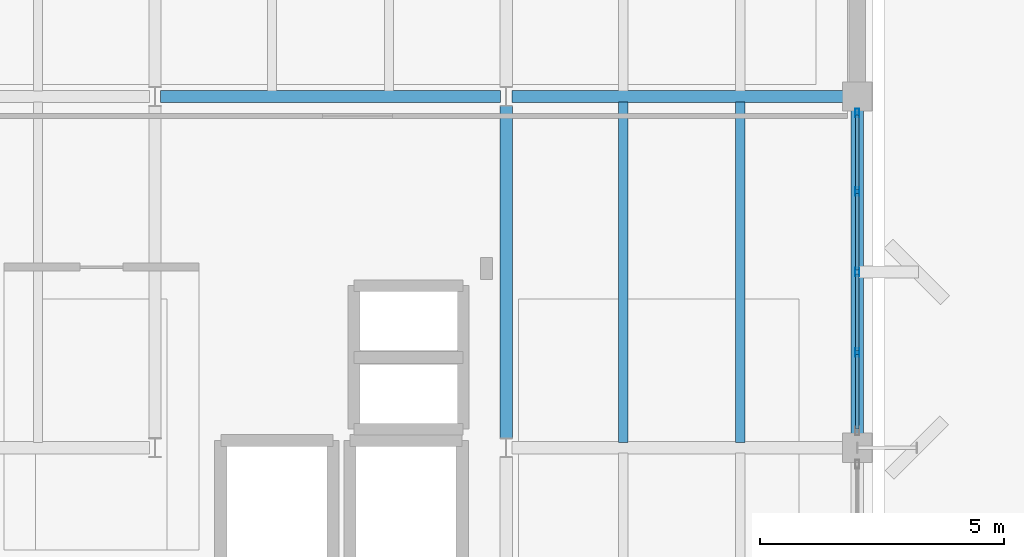
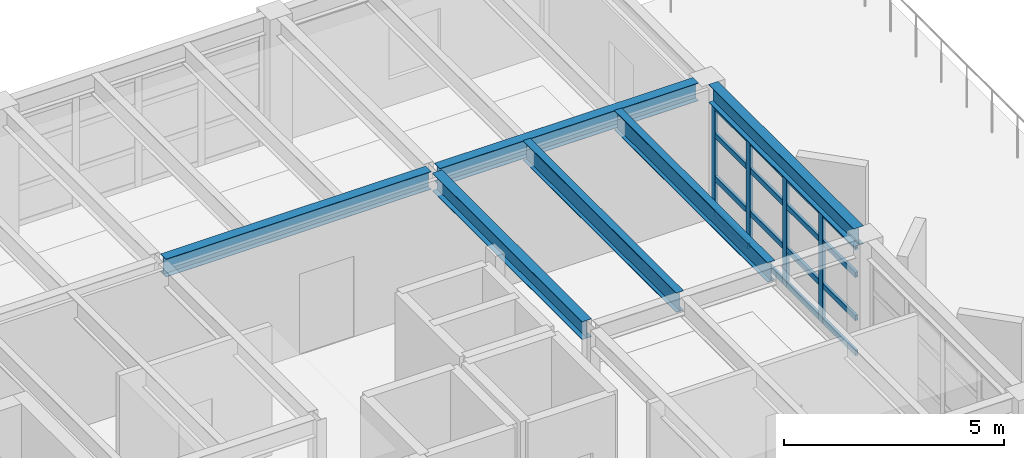
# One storey, part 9 of 19: 20 members, 6 beams, 1 element without a shape of its own.
"""IFC4 building model written with IfcOpenShell, lengths in metres."""

from ifc_helpers import new_model, si_unit, direction, frame, origin, origin_2d, place, context, subcontext, project, spatial, hollow_rectangle, i_section, extrude, material, layer, layer_set, material_profile, profile_set, type_object, element, aggregate, save


model = new_model("IFC4")

# Units and contexts
model_context = context("Model", 3, precision=1e-05, world=origin(), true_north=direction((0.0, 1.0)))
body_context = subcontext(model_context, "Body", "Model", "MODEL_VIEW")
ifc_project = project(units=[si_unit("LENGTHUNIT", "METRE"), si_unit("AREAUNIT", "SQUARE_METRE"), si_unit("VOLUMEUNIT", "CUBIC_METRE"), si_unit("PLANEANGLEUNIT", "RADIAN"), si_unit("MASSUNIT", "GRAM", prefix="KILO")], contexts=[model_context])

# Site, building, storey
site_placement = place(None, origin())
site = spatial("IfcSite", under=ifc_project, at=site_placement, CompositionType="ELEMENT")
building_placement = place(site_placement, origin())
building = spatial("IfcBuilding", under=site, at=building_placement, Name="Kandorven Conservatory and Botanical Research Centre", CompositionType="ELEMENT")
storey_placement = place(building_placement, frame((0.0, 0.0, 28.800048828125)))
storey = spatial("IfcBuildingStorey", under=building, at=storey_placement, Name="L07", CompositionType="ELEMENT", Elevation=28.800048828125)

# Beams
ifc_material_1 = material(Name="Steel S355 (IS 2062 E350)", Category="steel")
ifc_material_profile_1 = material_profile(ifc_material_1, i_section(OverallWidth=0.25, OverallDepth=0.5, WebThickness=0.010009765625, FlangeThickness=0.0146484375, at=origin_2d()))
ifc_profile_set_1 = profile_set([ifc_material_profile_1], Name="Steel S355 (IS 2062 E350)")
beam_type_1 = type_object("IfcBeamType", Name="Beam_FG-02", PredefinedType="USERDEFINED", material=ifc_profile_set_1)
beam_1_placement = place(storey_placement, frame((20.514892578125, 27.60009765625, 3.369873046875), z_axis=(1.0, 0.0, 0.0), x_axis=(0.0, 1.0, 0.0)))
element("IfcBeam", 1, at=beam_1_placement, inside=storey, type_object=beam_type_1, Name="Primary girder FG-02 TWR L07", ObjectType="GIRDER", PredefinedType="USERDEFINED", context=body_context, shape_type="SweptSolid", body=[
    extrude(i_section(OverallWidth=0.25, OverallDepth=0.5, WebThickness=0.010009765625, FlangeThickness=0.0146484375, at=origin_2d()), origin(), (0.0, 0.0, 1.0), 6.97021484375),
])
beam_2_placement = place(storey_placement, frame((27.715087890625, 27.60009765625, 3.369873046875), z_axis=(1.0, 0.0, 0.0), x_axis=(0.0, 1.0, 0.0)))
element("IfcBeam", 2, at=beam_2_placement, inside=storey, type_object=beam_type_1, Name="Primary girder FG-02 TWR L07", ObjectType="GIRDER", PredefinedType="USERDEFINED", context=body_context, shape_type="SweptSolid", body=[
    extrude(i_section(OverallWidth=0.25, OverallDepth=0.5, WebThickness=0.010009765625, FlangeThickness=0.0146484375, at=origin_2d()), origin(), (0.0, 0.0, 1.0), 6.794921875),
])
beam_3_placement = place(storey_placement, frame((27.60009765625, 20.590087890625, 3.369873046875), z_axis=(0.0, 1.0, 0.0), x_axis=(-1.0, 0.0, 0.0)))
element("IfcBeam", 3, at=beam_3_placement, inside=storey, type_object=beam_type_1, Name="Primary girder FG-02 TWR L07", ObjectType="GIRDER", PredefinedType="USERDEFINED", context=body_context, shape_type="SweptSolid", body=[
    extrude(i_section(OverallWidth=0.25, OverallDepth=0.5, WebThickness=0.010009765625, FlangeThickness=0.0146484375, at=origin_2d()), origin(), (0.0, 0.0, 1.0), 6.81982421875),
])
beam_4_placement = place(storey_placement, frame((34.800048828125, 20.68994140625, 3.369873046875), z_axis=(0.0, 1.0, 0.0), x_axis=(-1.0, 0.0, 0.0)))
element("IfcBeam", 4, at=beam_4_placement, inside=storey, type_object=beam_type_1, Name="Primary girder FG-02 TWR L07", ObjectType="GIRDER", PredefinedType="USERDEFINED", context=body_context, shape_type="SweptSolid", body=[
    extrude(i_section(OverallWidth=0.25, OverallDepth=0.5, WebThickness=0.010009765625, FlangeThickness=0.0146484375, at=origin_2d()), origin(), (0.0, 0.0, 1.0), 6.6201171875),
])
ifc_material_2 = material(Name="Steel S355 (IS 2062 E350)", Category="steel")
ifc_material_profile_2 = material_profile(ifc_material_2, i_section(OverallWidth=0.18994140625, OverallDepth=0.550048828125, WebThickness=0.01123046875, FlangeThickness=0.019287109375, at=origin_2d()))
ifc_profile_set_2 = profile_set([ifc_material_profile_2], Name="Steel S355 (IS 2062 E350)")
beam_type_2 = type_object("IfcBeamType", Name="Beam_SB-02", PredefinedType="BEAM", material=ifc_profile_set_2)
for number, where, z_axis, x_axis, name in (
    (5, (30.0, 20.510009765625, 3.344970703125), (0.0, 1.0, 0.0), (-1.0, 0.0, 0.0), "Composite secondary beam SB-02 TWR L07"),
    (6, (32.39990234375, 20.510009765625, 3.344970703125), (0.0, 1.0, 0.0), (-1.0, 0.0, 0.0), "Composite secondary beam SB-02 TWR L07"),
):
    element("IfcBeam", number, at=place(storey_placement, frame(where, z_axis=z_axis, x_axis=x_axis)), inside=storey, type_object=beam_type_2, Name=name, PredefinedType="BEAM", context=body_context, shape_type="SweptSolid", body=[
        extrude(i_section(OverallWidth=0.18994140625, OverallDepth=0.550048828125, WebThickness=0.01123046875, FlangeThickness=0.019287109375, at=origin_2d()), origin(), (0.0, 0.0, 1.0), 6.97998046875),
    ])

# Curtain wall, members
ifc_material_3 = material(Name="Bronze anodised thermally broken aluminium", Category="aluminium")
ifc_layer = layer(ifc_material_3, 0.179931640625)
ifc_layer_set = layer_set([ifc_layer], Name="Bronze anodised thermally broken aluminium")
curtain_wall_type = type_object("IfcCurtainWallType", Name="CW_Unitised", PredefinedType="USERDEFINED", material=ifc_layer_set)
curtain_wall_placement = place(storey_placement, origin())
curtain_wall = element("IfcCurtainWall", 7, at=curtain_wall_placement, inside=storey, type_object=curtain_wall_type, Name="Tower laboratory curtain wall CW-TWR-E-L07-3", ObjectType="UNITISED GLAZING", PredefinedType="USERDEFINED")
ifc_material_4 = material(Name="Bronze anodised thermally broken aluminium", Category="aluminium")
ifc_material_profile_3 = material_profile(ifc_material_4, hollow_rectangle(XDim=0.080078125, YDim=0.179931640625, WallThickness=0.006103515625, at=origin_2d()))
ifc_profile_set_3 = profile_set([ifc_material_profile_3], Name="Bronze anodised thermally broken aluminium")
member_type_1 = type_object("IfcMemberType", Name="CW_Mullion", PredefinedType="MULLION", material=ifc_profile_set_3)
member_1_placement = place(storey_placement, frame((34.800048828125, 22.35009765625, 0.0), z_axis=(0.0, 0.0, 1.0), x_axis=(-1.0, 0.0, 0.0)))
member_1 = element("IfcMember", 8, at=member_1_placement, type_object=member_type_1, Name="CW-01 mullion 2", PredefinedType="MULLION", context=body_context, shape_type="SweptSolid", body=[
    extrude(hollow_rectangle(XDim=0.080078125, YDim=0.179931640625, WallThickness=0.006103515625, at=origin_2d()), origin(), (0.0, 0.0, 1.0), 3.099853515625),
])
member_2_placement = place(storey_placement, frame((34.800048828125, 24.0, 0.0), z_axis=(0.0, 0.0, 1.0), x_axis=(-1.0, 0.0, 0.0)))
member_2 = element("IfcMember", 9, at=member_2_placement, type_object=member_type_1, Name="CW-01 mullion 3", PredefinedType="MULLION", context=body_context, shape_type="SweptSolid", body=[
    extrude(hollow_rectangle(XDim=0.080078125, YDim=0.179931640625, WallThickness=0.006103515625, at=origin_2d()), origin(), (0.0, 0.0, 1.0), 3.099853515625),
])
member_3_placement = place(storey_placement, frame((34.800048828125, 25.64990234375, 0.0), z_axis=(0.0, 0.0, 1.0), x_axis=(-1.0, 0.0, 0.0)))
member_3 = element("IfcMember", 10, at=member_3_placement, type_object=member_type_1, Name="CW-01 mullion 4", PredefinedType="MULLION", context=body_context, shape_type="SweptSolid", body=[
    extrude(hollow_rectangle(XDim=0.080078125, YDim=0.179931640625, WallThickness=0.006103515625, at=origin_2d()), origin(), (0.0, 0.0, 1.0), 3.099853515625),
])
member_4_placement = place(storey_placement, frame((34.800048828125, 27.260009765625, 0.0), z_axis=(0.0, 0.0, 1.0), x_axis=(-1.0, 0.0, 0.0)))
member_4 = element("IfcMember", 11, at=member_4_placement, type_object=member_type_1, Name="CW-01 mullion 5", PredefinedType="MULLION", context=body_context, shape_type="SweptSolid", body=[
    extrude(hollow_rectangle(XDim=0.080078125, YDim=0.179931640625, WallThickness=0.006103515625, at=origin_2d()), origin(), (0.0, 0.0, 1.0), 3.099853515625),
])
ifc_material_5 = material(Name="Bronze anodised thermally broken aluminium", Category="aluminium")
ifc_material_profile_4 = material_profile(ifc_material_5, hollow_rectangle(XDim=0.074951171875, YDim=0.14990234375, WallThickness=0.006103515625, at=origin_2d()))
ifc_profile_set_4 = profile_set([ifc_material_profile_4], Name="Bronze anodised thermally broken aluminium")
member_type_2 = type_object("IfcMemberType", Name="CW_Transom", PredefinedType="USERDEFINED", material=ifc_profile_set_4)
member_5_placement = place(storey_placement, frame((34.800048828125, 20.780029296875, 0.074951171875), z_axis=(0.0, 1.0, 0.0), x_axis=(-1.0, 0.0, 0.0)))
member_5 = element("IfcMember", 12, at=member_5_placement, type_object=member_type_2, Name="CW-01 transom 1.1", ObjectType="TRANSOM", PredefinedType="USERDEFINED", context=body_context, shape_type="SweptSolid", body=[
    extrude(hollow_rectangle(XDim=0.074951171875, YDim=0.14990234375, WallThickness=0.006103515625, at=origin_2d()), origin(), (0.0, 0.0, 1.0), 1.530029296875),
])
member_6_placement = place(storey_placement, frame((34.800048828125, 20.780029296875, 1.050048828125), z_axis=(0.0, 1.0, 0.0), x_axis=(-1.0, 0.0, 0.0)))
member_6 = element("IfcMember", 13, at=member_6_placement, type_object=member_type_2, Name="CW-01 transom 1.2", ObjectType="TRANSOM", PredefinedType="USERDEFINED", context=body_context, shape_type="SweptSolid", body=[
    extrude(hollow_rectangle(XDim=0.074951171875, YDim=0.14990234375, WallThickness=0.006103515625, at=origin_2d()), origin(), (0.0, 0.0, 1.0), 1.530029296875),
])
member_7_placement = place(storey_placement, frame((34.800048828125, 20.780029296875, 2.25), z_axis=(0.0, 1.0, 0.0), x_axis=(-1.0, 0.0, 0.0)))
member_7 = element("IfcMember", 14, at=member_7_placement, type_object=member_type_2, Name="CW-01 transom 1.3", ObjectType="TRANSOM", PredefinedType="USERDEFINED", context=body_context, shape_type="SweptSolid", body=[
    extrude(hollow_rectangle(XDim=0.074951171875, YDim=0.14990234375, WallThickness=0.006103515625, at=origin_2d()), origin(), (0.0, 0.0, 1.0), 1.530029296875),
])
member_8_placement = place(storey_placement, frame((34.800048828125, 20.780029296875, 3.02490234375), z_axis=(0.0, 1.0, 0.0), x_axis=(-1.0, 0.0, 0.0)))
member_8 = element("IfcMember", 15, at=member_8_placement, type_object=member_type_2, Name="CW-01 transom 1.4", ObjectType="TRANSOM", PredefinedType="USERDEFINED", context=body_context, shape_type="SweptSolid", body=[
    extrude(hollow_rectangle(XDim=0.074951171875, YDim=0.14990234375, WallThickness=0.006103515625, at=origin_2d()), origin(), (0.0, 0.0, 1.0), 1.530029296875),
])
member_9_placement = place(storey_placement, frame((34.800048828125, 22.389892578125, 0.074951171875), z_axis=(0.0, 1.0, 0.0), x_axis=(-1.0, 0.0, 0.0)))
member_9 = element("IfcMember", 16, at=member_9_placement, type_object=member_type_2, Name="CW-01 transom 2.1", ObjectType="TRANSOM", PredefinedType="USERDEFINED", context=body_context, shape_type="SweptSolid", body=[
    extrude(hollow_rectangle(XDim=0.074951171875, YDim=0.14990234375, WallThickness=0.006103515625, at=origin_2d()), origin(), (0.0, 0.0, 1.0), 1.570068359375),
])
member_10_placement = place(storey_placement, frame((34.800048828125, 22.389892578125, 1.050048828125), z_axis=(0.0, 1.0, 0.0), x_axis=(-1.0, 0.0, 0.0)))
member_10 = element("IfcMember", 17, at=member_10_placement, type_object=member_type_2, Name="CW-01 transom 2.2", ObjectType="TRANSOM", PredefinedType="USERDEFINED", context=body_context, shape_type="SweptSolid", body=[
    extrude(hollow_rectangle(XDim=0.074951171875, YDim=0.14990234375, WallThickness=0.006103515625, at=origin_2d()), origin(), (0.0, 0.0, 1.0), 1.570068359375),
])
member_11_placement = place(storey_placement, frame((34.800048828125, 22.389892578125, 2.25), z_axis=(0.0, 1.0, 0.0), x_axis=(-1.0, 0.0, 0.0)))
member_11 = element("IfcMember", 18, at=member_11_placement, type_object=member_type_2, Name="CW-01 transom 2.3", ObjectType="TRANSOM", PredefinedType="USERDEFINED", context=body_context, shape_type="SweptSolid", body=[
    extrude(hollow_rectangle(XDim=0.074951171875, YDim=0.14990234375, WallThickness=0.006103515625, at=origin_2d()), origin(), (0.0, 0.0, 1.0), 1.570068359375),
])
member_12_placement = place(storey_placement, frame((34.800048828125, 22.389892578125, 3.02490234375), z_axis=(0.0, 1.0, 0.0), x_axis=(-1.0, 0.0, 0.0)))
member_12 = element("IfcMember", 19, at=member_12_placement, type_object=member_type_2, Name="CW-01 transom 2.4", ObjectType="TRANSOM", PredefinedType="USERDEFINED", context=body_context, shape_type="SweptSolid", body=[
    extrude(hollow_rectangle(XDim=0.074951171875, YDim=0.14990234375, WallThickness=0.006103515625, at=origin_2d()), origin(), (0.0, 0.0, 1.0), 1.570068359375),
])
member_13_placement = place(storey_placement, frame((34.800048828125, 24.0400390625, 0.074951171875), z_axis=(0.0, 1.0, 0.0), x_axis=(-1.0, 0.0, 0.0)))
member_13 = element("IfcMember", 20, at=member_13_placement, type_object=member_type_2, Name="CW-01 transom 3.1", ObjectType="TRANSOM", PredefinedType="USERDEFINED", context=body_context, shape_type="SweptSolid", body=[
    extrude(hollow_rectangle(XDim=0.074951171875, YDim=0.14990234375, WallThickness=0.006103515625, at=origin_2d()), origin(), (0.0, 0.0, 1.0), 1.570068359375),
])
member_14_placement = place(storey_placement, frame((34.800048828125, 24.0400390625, 1.050048828125), z_axis=(0.0, 1.0, 0.0), x_axis=(-1.0, 0.0, 0.0)))
member_14 = element("IfcMember", 21, at=member_14_placement, type_object=member_type_2, Name="CW-01 transom 3.2", ObjectType="TRANSOM", PredefinedType="USERDEFINED", context=body_context, shape_type="SweptSolid", body=[
    extrude(hollow_rectangle(XDim=0.074951171875, YDim=0.14990234375, WallThickness=0.006103515625, at=origin_2d()), origin(), (0.0, 0.0, 1.0), 1.570068359375),
])
member_15_placement = place(storey_placement, frame((34.800048828125, 24.0400390625, 2.25), z_axis=(0.0, 1.0, 0.0), x_axis=(-1.0, 0.0, 0.0)))
member_15 = element("IfcMember", 22, at=member_15_placement, type_object=member_type_2, Name="CW-01 transom 3.3", ObjectType="TRANSOM", PredefinedType="USERDEFINED", context=body_context, shape_type="SweptSolid", body=[
    extrude(hollow_rectangle(XDim=0.074951171875, YDim=0.14990234375, WallThickness=0.006103515625, at=origin_2d()), origin(), (0.0, 0.0, 1.0), 1.570068359375),
])
member_16_placement = place(storey_placement, frame((34.800048828125, 24.0400390625, 3.02490234375), z_axis=(0.0, 1.0, 0.0), x_axis=(-1.0, 0.0, 0.0)))
member_16 = element("IfcMember", 23, at=member_16_placement, type_object=member_type_2, Name="CW-01 transom 3.4", ObjectType="TRANSOM", PredefinedType="USERDEFINED", context=body_context, shape_type="SweptSolid", body=[
    extrude(hollow_rectangle(XDim=0.074951171875, YDim=0.14990234375, WallThickness=0.006103515625, at=origin_2d()), origin(), (0.0, 0.0, 1.0), 1.570068359375),
])
member_17_placement = place(storey_placement, frame((34.800048828125, 25.68994140625, 0.074951171875), z_axis=(0.0, 1.0, 0.0), x_axis=(-1.0, 0.0, 0.0)))
member_17 = element("IfcMember", 24, at=member_17_placement, type_object=member_type_2, Name="CW-01 transom 4.1", ObjectType="TRANSOM", PredefinedType="USERDEFINED", context=body_context, shape_type="SweptSolid", body=[
    extrude(hollow_rectangle(XDim=0.074951171875, YDim=0.14990234375, WallThickness=0.006103515625, at=origin_2d()), origin(), (0.0, 0.0, 1.0), 1.530029296875),
])
member_18_placement = place(storey_placement, frame((34.800048828125, 25.68994140625, 1.050048828125), z_axis=(0.0, 1.0, 0.0), x_axis=(-1.0, 0.0, 0.0)))
member_18 = element("IfcMember", 25, at=member_18_placement, type_object=member_type_2, Name="CW-01 transom 4.2", ObjectType="TRANSOM", PredefinedType="USERDEFINED", context=body_context, shape_type="SweptSolid", body=[
    extrude(hollow_rectangle(XDim=0.074951171875, YDim=0.14990234375, WallThickness=0.006103515625, at=origin_2d()), origin(), (0.0, 0.0, 1.0), 1.530029296875),
])
member_19_placement = place(storey_placement, frame((34.800048828125, 25.68994140625, 2.25), z_axis=(0.0, 1.0, 0.0), x_axis=(-1.0, 0.0, 0.0)))
member_19 = element("IfcMember", 26, at=member_19_placement, type_object=member_type_2, Name="CW-01 transom 4.3", ObjectType="TRANSOM", PredefinedType="USERDEFINED", context=body_context, shape_type="SweptSolid", body=[
    extrude(hollow_rectangle(XDim=0.074951171875, YDim=0.14990234375, WallThickness=0.006103515625, at=origin_2d()), origin(), (0.0, 0.0, 1.0), 1.530029296875),
])
member_20_placement = place(storey_placement, frame((34.800048828125, 25.68994140625, 3.02490234375), z_axis=(0.0, 1.0, 0.0), x_axis=(-1.0, 0.0, 0.0)))
member_20 = element("IfcMember", 27, at=member_20_placement, type_object=member_type_2, Name="CW-01 transom 4.4", ObjectType="TRANSOM", PredefinedType="USERDEFINED", context=body_context, shape_type="SweptSolid", body=[
    extrude(hollow_rectangle(XDim=0.074951171875, YDim=0.14990234375, WallThickness=0.006103515625, at=origin_2d()), origin(), (0.0, 0.0, 1.0), 1.530029296875),
])
aggregate(curtain_wall, [member_1, member_2, member_3, member_4, member_5, member_6, member_7, member_8, member_9, member_10, member_11, member_12, member_13, member_14, member_15, member_16, member_17, member_18, member_19, member_20])

save(model, "model.ifc")
